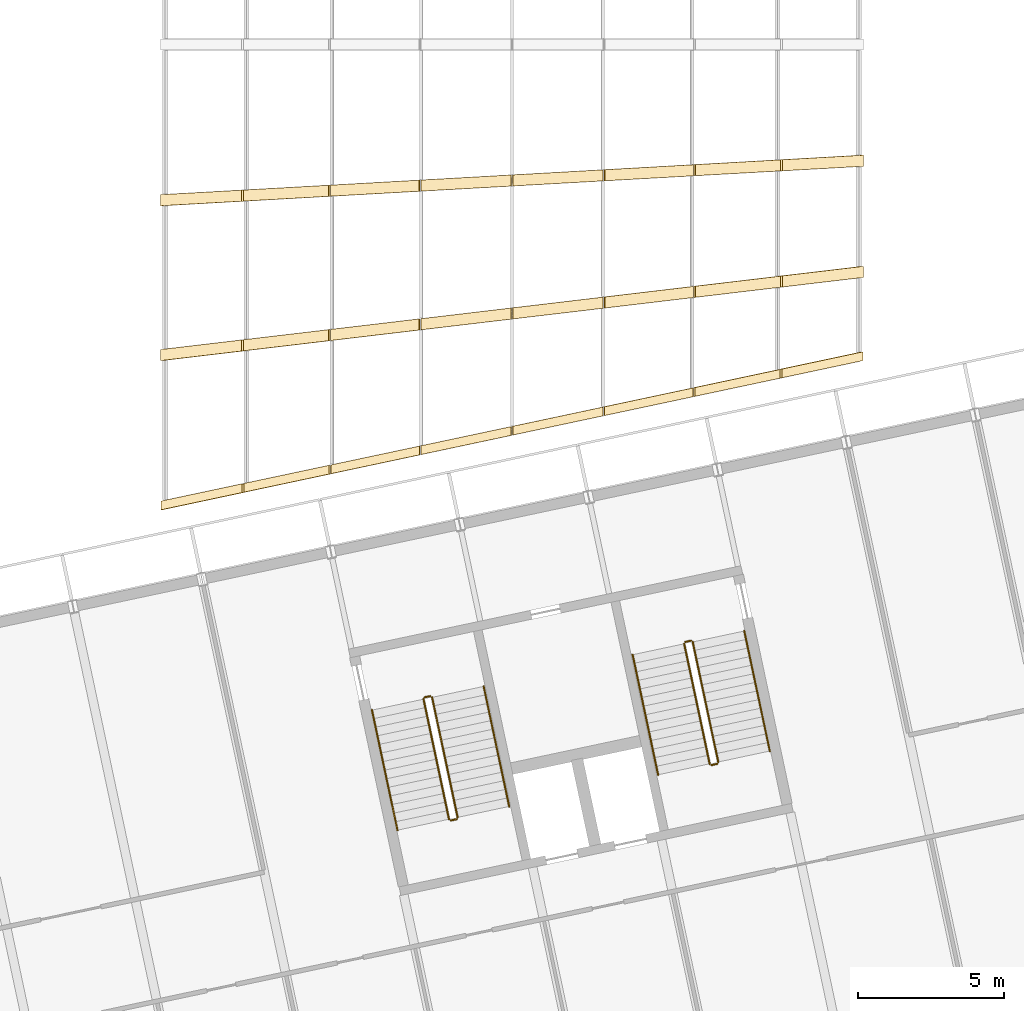
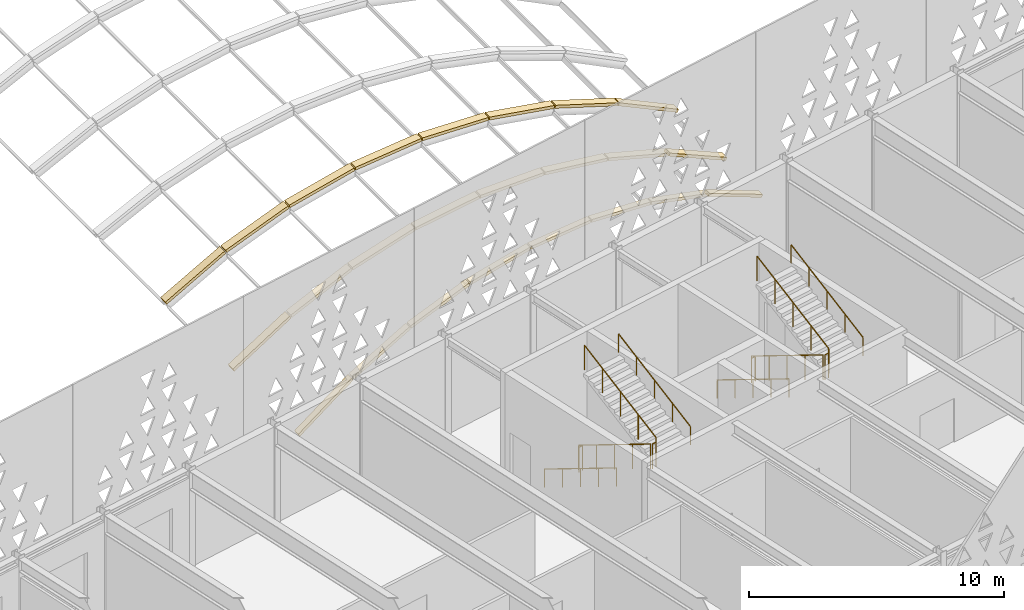
# One storey, part 191 of 196: 24 coverings, 12 railings.
"""IFC4 building model written with IfcOpenShell, lengths in metres."""

from ifc_helpers import new_model, si_unit, direction, frame, origin, origin_2d, place, context, subcontext, project, spatial, polyline, circle, outline, extrude, material, layer, layer_set, type_object, element, save


model = new_model("IFC4")

# Units and contexts
model_context = context("Model", 3, precision=1e-05, world=origin(), true_north=direction((0.0, 1.0)))
body_context = subcontext(model_context, "Body", "Model", "MODEL_VIEW")
ifc_project = project(units=[si_unit("LENGTHUNIT", "METRE"), si_unit("AREAUNIT", "SQUARE_METRE"), si_unit("VOLUMEUNIT", "CUBIC_METRE"), si_unit("PLANEANGLEUNIT", "RADIAN"), si_unit("MASSUNIT", "GRAM", prefix="KILO")], contexts=[model_context])

# Site, building, storey
site_placement = place(None, origin())
site = spatial("IfcSite", under=ifc_project, at=site_placement, CompositionType="ELEMENT")
building_placement = place(site_placement, origin())
building = spatial("IfcBuilding", under=site, at=building_placement, Name="Okhra Congress Centre", CompositionType="ELEMENT")
storey_placement = place(building_placement, frame((0.0, 0.0, 12.0)))
storey = spatial("IfcBuildingStorey", under=building, at=storey_placement, Name="L02", CompositionType="ELEMENT", Elevation=12.0)

# Coverings
ifc_material_1 = material(Name="Extruded aluminium capping, thermally broken", Category="aluminium")
ifc_layer = layer(ifc_material_1, 0.139892578125)
ifc_layer_set = layer_set([ifc_layer], Name="Aluminium rib capping 380")
covering_type = type_object("IfcCoveringType", Name="Aluminium rib capping 380", PredefinedType="CLADDING", material=ifc_layer_set)
covering_1_placement = place(storey_placement, frame((160.26904296875, 75.111083984375, 1.07080078125), z_axis=(-0.445566111343, 0.0, 0.895249038214), x_axis=(0.879462322066, 0.186967405575, 0.437709050989)))
element("IfcCovering", 1, at=covering_1_placement, inside=storey, type_object=covering_type, Name="Rib capping 1.3", PredefinedType="CLADDING", context=body_context, shape_type="SweptSolid", body=[
    extrude(outline(polyline([(0.0, 0.0), (3.139125029271987, -1.3877787807814457e-17), (3.1951787338732265, 0.294517966934871), (0.05605370460123909, 0.29451796693487087), (0.0, 0.0)])), origin(), (0.0, 0.0, -1.0), 0.139892578125),
])
covering_2_placement = place(storey_placement, frame((163.0849609375, 75.709716796875, 2.468017578125), z_axis=(-0.323889109008, 0.0, 0.946095050757), x_axis=(0.92752675174, 0.197147945558, 0.317532380031)))
element("IfcCovering", 2, at=covering_2_placement, inside=storey, type_object=covering_type, Name="Rib capping 1.4", PredefinedType="CLADDING", context=body_context, shape_type="SweptSolid", body=[
    extrude(outline(polyline([(0.0, 0.0), (3.1454407792290016, 1.3877787807814457e-17), (3.2045947892609927, 0.2941599944865395), (0.059154010031990986, 0.29415999448653946), (0.0, 0.0)])), origin(), (0.0, 0.0, -1.0), 0.139892578125),
])
covering_3_placement = place(storey_placement, frame((166.060302734375, 76.34228515625, 3.482421875), z_axis=(-0.196664221058, 0.0, 0.980470899189), x_axis=(0.959852535157, 0.20399966671, 0.192528560831)))
element("IfcCovering", 3, at=covering_3_placement, inside=storey, type_object=covering_type, Name="Rib capping 1.5", PredefinedType="CLADDING", context=body_context, shape_type="SweptSolid", body=[
    extrude(outline(polyline([(0.0, 0.0), (3.1498979158360014, 5.204170427930421e-17), (3.2111077767701257, 0.2937390886205154), (0.06116005632799405, 0.2935000820390503), (0.0, 0.0)])), origin(), (0.0, 0.0, -1.0), 0.139892578125),
])
covering_4_placement = place(storey_placement, frame((169.14306640625, 76.99755859375, 4.0966796875), z_axis=(-0.065951473354, 0.0, 0.99782283155), x_axis=(0.976091741437, 0.207563744113, 0.064515148823)))
element("IfcCovering", 4, at=covering_4_placement, inside=storey, type_object=covering_type, Name="Rib capping 1.6", PredefinedType="CLADDING", context=body_context, shape_type="SweptSolid", body=[
    extrude(outline(polyline([(0.0, 0.0), (3.1522695728825534, 3.165870343657673e-17), (3.214498156322587, 0.2932753894380152), (0.06227925818224878, 0.2935142130450493), (0.0, 0.0)])), origin(), (0.0, 0.0, -1.0), 0.139892578125),
])
covering_5_placement = place(storey_placement, frame((172.280029296875, 77.66455078125, 4.300048828125), z_axis=(0.065951473354, 0.0, 0.99782283155), x_axis=(0.976107430185, 0.207489629887, -0.064516185777)))
element("IfcCovering", 5, at=covering_5_placement, inside=storey, type_object=covering_type, Name="Rib capping 1.7", PredefinedType="CLADDING", context=body_context, shape_type="SweptSolid", body=[
    extrude(outline(polyline([(0.0, 0.0), (3.1522189071874123, -5.204170427930421e-18), (3.214475927483085, 0.2935189307065048), (0.06225702029567293, 0.2935189307065048), (0.0, 0.0)])), origin(), (0.0, 0.0, -1.0), 0.139892578125),
])
covering_6_placement = place(storey_placement, frame((175.416259765625, 78.331298828125, 4.0888671875), z_axis=(0.196664221058, 0.0, 0.980470899189), x_axis=(0.959837355927, 0.204073946879, -0.19252551616)))
element("IfcCovering", 6, at=covering_6_placement, inside=storey, type_object=covering_type, Name="Rib capping 1.8", PredefinedType="CLADDING", context=body_context, shape_type="SweptSolid", body=[
    extrude(outline(polyline([(0.0, 0.0), (3.1499477295096074, -2.7755575615628914e-17), (3.2111798781216314, 0.2937344433932474), (0.06123214861202365, 0.2937344433932474), (0.0, 0.0)])), origin(), (0.0, 0.0, -1.0), 0.139892578125),
])
covering_7_placement = place(storey_placement, frame((178.49755859375, 78.986328125, 3.466796875), z_axis=(0.323889109008, 0.0, 0.946095050757), x_axis=(0.927512556173, 0.197222544371, -0.317527520277)))
element("IfcCovering", 7, at=covering_7_placement, inside=storey, type_object=covering_type, Name="Rib capping 1.9", PredefinedType="CLADDING", context=body_context, shape_type="SweptSolid", body=[
    extrude(outline(polyline([(0.0, 0.0), (3.145488920158018, -2.7755575615628914e-17), (3.204617163441182, 0.29391614704405), (0.059176393318411034, 0.2941554924406657), (0.0, 0.0)])), origin(), (0.0, 0.0, -1.0), 0.139892578125),
])
covering_8_placement = place(storey_placement, frame((181.47021484375, 79.618408203125, 2.44482421875), z_axis=(0.445566111343, 0.0, 0.895249038214), x_axis=(0.879462322066, 0.186967405575, -0.437709050989)))
element("IfcCovering", 8, at=covering_8_placement, inside=storey, type_object=covering_type, Name="Rib capping 1.10", PredefinedType="CLADDING", context=body_context, shape_type="SweptSolid", body=[
    extrude(outline(polyline([(0.0, 0.0), (3.139125029271987, 1.3877787807814457e-17), (3.195224380212478, 0.2947578024128308), (0.05609935094049091, 0.29475780241283084), (0.0, 0.0)])), origin(), (0.0, 0.0, -1.0), 0.139892578125),
])
covering_9_placement = place(storey_placement, frame((160.248291015625, 80.203857421875, 1.1064453125), z_axis=(-0.445569024037, 0.0, 0.895247588558), x_axis=(0.890254687035, 0.105466259711, 0.443084032972)))
element("IfcCovering", 9, at=covering_9_placement, inside=storey, type_object=covering_type, Name="Rib capping 2.3", PredefinedType="CLADDING", context=body_context, shape_type="SweptSolid", body=[
    extrude(outline(polyline([(0.0, 0.0), (3.106554832314727, -2.7755575615628914e-17), (3.146645400275992, 0.3780069402175562), (0.0400905679612651, 0.37800694021755626), (0.0, 0.0)])), origin(), (0.0, 0.0, -1.0), 0.139892578125),
])
covering_10_placement = place(storey_placement, frame((163.069091796875, 80.5380859375, 2.506103515625), z_axis=(-0.323875724276, 0.0, 0.946099632822), x_axis=(0.940213842822, 0.111371082543, 0.32186085773)))
element("IfcCovering", 10, at=covering_10_placement, inside=storey, type_object=covering_type, Name="Rib capping 2.4", PredefinedType="CLADDING", context=body_context, shape_type="SweptSolid", body=[
    extrude(outline(polyline([(0.0, 0.0), (3.1084496832148925, 0.0), (3.150784833488185, 0.37776214149042736), (0.04230796006759374, 0.37751951969114), (0.0, 0.0)])), origin(), (0.0, 0.0, -1.0), 0.139892578125),
])
covering_11_placement = place(storey_placement, frame((166.049560546875, 80.89111328125, 3.522216796875), z_axis=(-0.196632858865, 0.0, 0.980477189339), x_axis=(0.973926541922, 0.115401581221, 0.195319138828)))
element("IfcCovering", 11, at=covering_11_placement, inside=storey, type_object=covering_type, Name="Rib capping 2.5", PredefinedType="CLADDING", context=body_context, shape_type="SweptSolid", body=[
    extrude(outline(polyline([(0.0, 0.0), (3.10989429220633, 5.551115123125783e-17), (3.153733369447416, 0.37734478469903393), (0.04386725145525145, 0.3775872942007685), (0.0, 0.0)])), origin(), (0.0, 0.0, -1.0), 0.139892578125),
])
covering_12_placement = place(storey_placement, frame((169.1376953125, 81.257080078125, 4.137451171875), z_axis=(-0.065994431109, 0.0, 0.997819991312), x_axis=(0.990926684736, 0.117341417321, 0.065538517367)))
element("IfcCovering", 12, at=covering_12_placement, inside=storey, type_object=covering_type, Name="Rib capping 2.6", PredefinedType="CLADDING", context=body_context, shape_type="SweptSolid", body=[
    extrude(outline(polyline([(0.0, 0.0), (3.1104979188700863, 4.0766001685454967e-17), (3.1551025543117803, 0.37750089667338477), (0.04457598763473091, 0.3772584426613916), (0.0, 0.0)])), origin(), (0.0, 0.0, -1.0), 0.139892578125),
])
covering_13_placement = place(storey_placement, frame((172.280029296875, 81.629150390625, 4.34130859375), z_axis=(0.065994431109, 0.0, 0.997819991312), x_axis=(0.990917555337, 0.117418824775, -0.065537913561)))
element("IfcCovering", 13, at=covering_13_placement, inside=storey, type_object=covering_type, Name="Rib capping 2.7", PredefinedType="CLADDING", context=body_context, shape_type="SweptSolid", body=[
    extrude(outline(polyline([(0.0, 0.0), (3.1105265761262446, -3.5128150388530344e-17), (3.1551606362274653, 0.37749741876068044), (0.0446340601012209, 0.3774974187606805), (0.0, 0.0)])), origin(), (0.0, 0.0, -1.0), 0.139892578125),
])
covering_14_placement = place(storey_placement, frame((175.421630859375, 82.00146484375, 4.129638671875), z_axis=(0.196632858865, 0.0, 0.980477189339), x_axis=(0.973926541922, 0.115401581221, -0.195319138828)))
element("IfcCovering", 14, at=covering_14_placement, inside=storey, type_object=covering_type, Name="Rib capping 2.8", PredefinedType="CLADDING", context=body_context, shape_type="SweptSolid", body=[
    extrude(outline(polyline([(0.0, 0.0), (3.10989429220633, 5.551115123125783e-17), (3.153733369447416, 0.37734478469903393), (0.043839077241086225, 0.3773447846990339), (0.0, 0.0)])), origin(), (0.0, 0.0, -1.0), 0.139892578125),
])
covering_15_placement = place(storey_placement, frame((178.50830078125, 82.3671875, 3.506591796875), z_axis=(0.323875724276, 0.0, 0.946099632822), x_axis=(0.940213842822, 0.111371082543, -0.32186085773)))
element("IfcCovering", 15, at=covering_15_placement, inside=storey, type_object=covering_type, Name="Rib capping 2.9", PredefinedType="CLADDING", context=body_context, shape_type="SweptSolid", body=[
    extrude(outline(polyline([(0.0, 0.0), (3.1084496832148925, -5.551115123125783e-17), (3.150757643282486, 0.3775195196911399), (0.04230796006759374, 0.37751951969113995), (0.0, 0.0)])), origin(), (0.0, 0.0, -1.0), 0.139892578125),
])
covering_16_placement = place(storey_placement, frame((181.486083984375, 82.719970703125, 2.48291015625), z_axis=(0.445569024037, 0.0, 0.895247588558), x_axis=(0.89026206323, 0.105388544032, -0.44308770414)))
element("IfcCovering", 16, at=covering_16_placement, inside=storey, type_object=covering_type, Name="Rib capping 2.10", PredefinedType="CLADDING", context=body_context, shape_type="SweptSolid", body=[
    extrude(outline(polyline([(0.0, 0.0), (3.1065290932029024, -1.3877787807814457e-17), (3.1465901193399803, 0.3780100721898033), (0.04003529651207027, 0.3777672911543571), (0.0, 0.0)])), origin(), (0.0, 0.0, -1.0), 0.139892578125),
])
covering_17_placement = place(storey_placement, frame((160.248291015625, 85.49267578125, 1.1064453125), z_axis=(-0.445569024037, 0.0, 0.895247588558), x_axis=(0.894111774461, 0.0503569308, 0.445003723906)))
element("IfcCovering", 17, at=covering_17_placement, inside=storey, type_object=covering_type, Name="Rib capping 3.3", PredefinedType="CLADDING", context=body_context, shape_type="SweptSolid", body=[
    extrude(outline(polyline([(0.0, 0.0), (3.0931535396311425, -2.0816681711721685e-17), (3.11228327213244, 0.37940084945521535), (0.01914202667385576, 0.379644680335328), (0.0, 0.0)])), origin(), (0.0, 0.0, -1.0), 0.139892578125),
])
covering_18_placement = place(storey_placement, frame((163.069091796875, 85.6513671875, 2.506103515625), z_axis=(-0.323875724276, 0.0, 0.946099632822), x_axis=(0.944760213587, 0.053192580733, 0.323417204518)))
element("IfcCovering", 18, at=covering_18_placement, inside=storey, type_object=covering_type, Name="Rib capping 3.4", PredefinedType="CLADDING", context=body_context, shape_type="SweptSolid", body=[
    extrude(outline(polyline([(0.0, 0.0), (3.0934912159124353, -1.734723475976807e-17), (3.113698163085513, 0.3793450019689921), (0.020219933642983207, 0.3795887969574041), (0.0, 0.0)])), origin(), (0.0, 0.0, -1.0), 0.139892578125),
])
covering_19_placement = place(storey_placement, frame((166.049560546875, 85.819091796875, 3.522216796875), z_axis=(-0.196632858865, 0.0, 0.980477189339), x_axis=(0.978988719826, 0.055080938775, 0.196334349099)))
element("IfcCovering", 19, at=covering_19_placement, inside=storey, type_object=covering_type, Name="Rib capping 3.5", PredefinedType="CLADDING", context=body_context, shape_type="SweptSolid", body=[
    extrude(outline(polyline([(0.0, 0.0), (3.0938135776344895, -1.734723475976807e-18), (3.1147378795713605, 0.37930610965467565), (0.020924301936870778, 0.37930610965467565), (0.0, 0.0)])), origin(), (0.0, 0.0, -1.0), 0.139892578125),
])
for number, where, z_axis, x_axis, name in (
    (20, (169.1376953125, 85.99267578125, 4.137451171875), (-0.065994431109, 0.0, 0.997819991312), (0.99624826846, 0.056105546049, 0.065890479538), "Rib capping 3.6"),
    (21, (172.280029296875, 86.16943359375, 4.34130859375), (0.065994431109, 0.0, 0.997819991312), (0.99624826846, 0.056105546049, -0.065890479538), "Rib capping 3.7"),
):
    element("IfcCovering", number, at=place(storey_placement, frame(where, z_axis=z_axis, x_axis=x_axis)), inside=storey, type_object=covering_type, Name=name, PredefinedType="CLADDING", context=body_context, shape_type="SweptSolid", body=[
        extrude(outline(polyline([(0.0, 0.0), (3.0938828083393073, 1.9949319973733282e-17), (3.115196340969435, 0.37928443753960506), (0.02132723027320622, 0.3795281936048619), (0.0, 0.0)])), origin(), (0.0, 0.0, -1.0), 0.139892578125),
    ])
covering_20_placement = place(storey_placement, frame((175.421630859375, 86.34619140625, 4.129638671875), z_axis=(0.196632858865, 0.0, 0.980477189339), x_axis=(0.978988719826, 0.055080938775, -0.196334349099)))
element("IfcCovering", 22, at=covering_20_placement, inside=storey, type_object=covering_type, Name="Rib capping 3.8", PredefinedType="CLADDING", context=body_context, shape_type="SweptSolid", body=[
    extrude(outline(polyline([(0.0, 0.0), (3.0938135776344895, -8.673617379884035e-19), (3.114751327066178, 0.37954987964802694), (0.02093774943168882, 0.379549879648027), (0.0, 0.0)])), origin(), (0.0, 0.0, -1.0), 0.139892578125),
])
covering_21_placement = place(storey_placement, frame((178.50830078125, 86.519775390625, 3.506591796875), z_axis=(0.323875724276, 0.0, 0.946099632822), x_axis=(0.944760213587, 0.053192580733, -0.323417204518)))
element("IfcCovering", 23, at=covering_21_placement, inside=storey, type_object=covering_type, Name="Rib capping 3.9", PredefinedType="CLADDING", context=body_context, shape_type="SweptSolid", body=[
    extrude(outline(polyline([(0.0, 0.0), (3.0934912159124353, -1.734723475976807e-17), (3.113698163085513, 0.3793450019689921), (0.020219933642983207, 0.3795887969574041), (0.0, 0.0)])), origin(), (0.0, 0.0, -1.0), 0.139892578125),
])
covering_22_placement = place(storey_placement, frame((181.486083984375, 86.687255859375, 2.48291015625), z_axis=(0.445569024037, 0.0, 0.895247588558), x_axis=(0.894111774461, 0.0503569308, -0.445003723906)))
element("IfcCovering", 24, at=covering_22_placement, inside=storey, type_object=covering_type, Name="Rib capping 3.10", PredefinedType="CLADDING", context=body_context, shape_type="SweptSolid", body=[
    extrude(outline(polyline([(0.0, 0.0), (3.0931535396311425, -2.0816681711721685e-17), (3.11228327213244, 0.37940084945521535), (0.01914202667385576, 0.379644680335328), (0.0, 0.0)])), origin(), (0.0, 0.0, -1.0), 0.139892578125),
])

# Railings
ifc_material_2 = material(Name="Painted steel tube handrail on wall brackets", Category="steel")
railing_type_1 = type_object("IfcRailingType", Name="Steel handrail 900", PredefinedType="HANDRAIL", material=ifc_material_2)
railing_1_placement = place(storey_placement, frame((167.46630859375, 68.273681640625, 0.159912109375)))
element("IfcRailing", 25, at=railing_1_placement, inside=storey, type_object=railing_type_1, Name="L02 BS4A stair handrail 1", PredefinedType="HANDRAIL", context=body_context, shape_type="SweptSolid", body=[
    extrude(circle(Radius=0.02392578125, at=origin_2d()), frame((0.0, 0.0, 0.8759765625), z_axis=(0.183466421502, -0.863066668889, 0.4705911147), x_axis=(0.978143927149, 0.207928972925, 0.0)), (0.0, 0.0, 1.0), 4.760009765625),
    extrude(circle(Radius=0.02099609375, at=origin_2d()), origin(), (0.0, 0.0, 1.0), 0.851806640625),
    extrude(circle(Radius=0.02099609375, at=origin_2d()), frame((0.21826171875, -1.027099609375, 0.56005859375)), (0.0, 0.0, 1.0), 0.851806640625),
    extrude(circle(Radius=0.02099609375, at=origin_2d()), frame((0.4365234375, -2.05419921875, 1.1201171875)), (0.0, 0.0, 1.0), 0.851806640625),
    extrude(circle(Radius=0.02099609375, at=origin_2d()), frame((0.655029296875, -3.0810546875, 1.679931640625)), (0.0, 0.0, 1.0), 0.851806640625),
    extrude(circle(Radius=0.02099609375, at=origin_2d()), frame((0.873291015625, -4.108154296875, 2.239990234375)), (0.0, 0.0, 1.0), 0.851806640625),
])
railing_2_placement = place(storey_placement, frame((172.154296875, 64.976318359375, 2.56005859375)))
element("IfcRailing", 26, at=railing_2_placement, inside=storey, type_object=railing_type_1, Name="L02 BS4A stair handrail 2", PredefinedType="HANDRAIL", context=body_context, shape_type="SweptSolid", body=[
    extrude(circle(Radius=0.02392578125, at=origin_2d()), frame((0.0, 0.0, 0.8759765625), z_axis=(-0.183416856655, 0.863074789412, 0.470595542453), x_axis=(-0.978155748334, -0.207873355681, 0.0)), (0.0, 0.0, 1.0), 4.760009765625),
    extrude(circle(Radius=0.02099609375, at=origin_2d()), origin(), (0.0, 0.0, 1.0), 0.851806640625),
    extrude(circle(Radius=0.02099609375, at=origin_2d()), frame((-0.21826171875, 1.027099609375, 0.56005859375)), (0.0, 0.0, 1.0), 0.851806640625),
    extrude(circle(Radius=0.02099609375, at=origin_2d()), frame((-0.4365234375, 2.05419921875, 1.1201171875)), (0.0, 0.0, 1.0), 0.851806640625),
    extrude(circle(Radius=0.02099609375, at=origin_2d()), frame((-0.65478515625, 3.0810546875, 1.679931640625)), (0.0, 0.0, 1.0), 0.851806640625),
    extrude(circle(Radius=0.02099609375, at=origin_2d()), frame((-0.873046875, 4.108154296875, 2.239990234375)), (0.0, 0.0, 1.0), 0.851806640625),
])
railing_3_placement = place(storey_placement, frame((176.367431640625, 70.16552734375, 0.159912109375)))
element("IfcRailing", 27, at=railing_3_placement, inside=storey, type_object=railing_type_1, Name="L02 BS4B stair handrail 1", PredefinedType="HANDRAIL", context=body_context, shape_type="SweptSolid", body=[
    extrude(circle(Radius=0.02392578125, at=origin_2d()), frame((0.0, 0.0, 0.8759765625), z_axis=(0.183466421502, -0.863066668889, 0.4705911147), x_axis=(0.978143927149, 0.207928972925, 0.0)), (0.0, 0.0, 1.0), 4.760009765625),
    extrude(circle(Radius=0.02099609375, at=origin_2d()), origin(), (0.0, 0.0, 1.0), 0.851806640625),
    extrude(circle(Radius=0.02099609375, at=origin_2d()), frame((0.21826171875, -1.027099609375, 0.56005859375)), (0.0, 0.0, 1.0), 0.851806640625),
    extrude(circle(Radius=0.02099609375, at=origin_2d()), frame((0.4365234375, -2.05419921875, 1.1201171875)), (0.0, 0.0, 1.0), 0.851806640625),
    extrude(circle(Radius=0.02099609375, at=origin_2d()), frame((0.655029296875, -3.0810546875, 1.679931640625)), (0.0, 0.0, 1.0), 0.851806640625),
    extrude(circle(Radius=0.02099609375, at=origin_2d()), frame((0.873291015625, -4.108154296875, 2.239990234375)), (0.0, 0.0, 1.0), 0.851806640625),
])
railing_4_placement = place(storey_placement, frame((181.055419921875, 66.8681640625, 2.56005859375)))
element("IfcRailing", 28, at=railing_4_placement, inside=storey, type_object=railing_type_1, Name="L02 BS4B stair handrail 2", PredefinedType="HANDRAIL", context=body_context, shape_type="SweptSolid", body=[
    extrude(circle(Radius=0.02392578125, at=origin_2d()), frame((0.0, 0.0, 0.8759765625), z_axis=(-0.183408737451, 0.863087872992, 0.470574710881), x_axis=(-0.97815826, -0.207861536591, 0.0)), (0.0, 0.0, 1.0), 4.760009765625),
    extrude(circle(Radius=0.02099609375, at=origin_2d()), origin(), (0.0, 0.0, 1.0), 0.851806640625),
    extrude(circle(Radius=0.02099609375, at=origin_2d()), frame((-0.21826171875, 1.027099609375, 0.56005859375)), (0.0, 0.0, 1.0), 0.851806640625),
    extrude(circle(Radius=0.02099609375, at=origin_2d()), frame((-0.4365234375, 2.05419921875, 1.1201171875)), (0.0, 0.0, 1.0), 0.851806640625),
    extrude(circle(Radius=0.02099609375, at=origin_2d()), frame((-0.65478515625, 3.081298828125, 1.679931640625)), (0.0, 0.0, 1.0), 0.851806640625),
    extrude(circle(Radius=0.02099609375, at=origin_2d()), frame((-0.873046875, 4.1083984375, 2.239990234375)), (0.0, 0.0, 1.0), 0.851806640625),
])
ifc_material_3 = material(Name="Painted steel tube guard with vertical steel balusters", Category="steel")
railing_type_2 = type_object("IfcRailingType", Name="Steel stair guard 1200", PredefinedType="GUARDRAIL", material=ifc_material_3)
railing_5_placement = place(storey_placement, frame((169.22705078125, 68.64794921875, 0.159912109375)))
element("IfcRailing", 29, at=railing_5_placement, inside=storey, type_object=railing_type_2, Name="L02 BS4A stair guard 1", PredefinedType="GUARDRAIL", context=body_context, shape_type="SweptSolid", body=[
    extrude(circle(Radius=0.02392578125, at=origin_2d()), frame((0.0, 0.0, 1.17578125), z_axis=(0.183458300256, -0.863079753065, 0.470570283716), x_axis=(0.978146440129, 0.207917150959, 0.0)), (0.0, 0.0, 1.0), 4.76025390625),
    extrude(circle(Radius=0.02099609375, at=origin_2d()), origin(), (0.0, 0.0, 1.0), 1.15185546875),
    extrude(circle(Radius=0.02099609375, at=origin_2d()), frame((0.21826171875, -1.027099609375, 0.56005859375)), (0.0, 0.0, 1.0), 1.15185546875),
    extrude(circle(Radius=0.02099609375, at=origin_2d()), frame((0.4365234375, -2.05419921875, 1.1201171875)), (0.0, 0.0, 1.0), 1.15185546875),
    extrude(circle(Radius=0.02099609375, at=origin_2d()), frame((0.655029296875, -3.081298828125, 1.679931640625)), (0.0, 0.0, 1.0), 1.15185546875),
    extrude(circle(Radius=0.02099609375, at=origin_2d()), frame((0.873291015625, -4.1083984375, 2.239990234375)), (0.0, 0.0, 1.0), 1.15185546875),
])
railing_6_placement = place(storey_placement, frame((170.15966796875, 64.501220703125, 2.39990234375)))
element("IfcRailing", 30, at=railing_6_placement, inside=storey, type_object=railing_type_2, Name="L02 BS4A stair guard 2", PredefinedType="GUARDRAIL", context=body_context, shape_type="SweptSolid", body=[
    extrude(circle(Radius=0.02392578125, at=origin_2d()), frame((0.0, 0.0, 1.17578125), z_axis=(0.978211583308, 0.207610448392, 0.0), x_axis=(-0.207610448392, 0.978211583308, 0.0)), (0.0, 0.0, 1.0), 0.199951171875),
    extrude(circle(Radius=0.02099609375, at=origin_2d()), origin(), (0.0, 0.0, 1.0), 1.15185546875),
    extrude(circle(Radius=0.02099609375, at=origin_2d()), frame((0.195556640625, 0.04150390625, 0.0)), (0.0, 0.0, 1.0), 1.15185546875),
])
railing_7_placement = place(storey_placement, frame((170.393798828125, 64.60205078125, 2.56005859375)))
element("IfcRailing", 31, at=railing_7_placement, inside=storey, type_object=railing_type_2, Name="L02 BS4A stair guard 3", PredefinedType="GUARDRAIL", context=body_context, shape_type="SweptSolid", body=[
    extrude(circle(Radius=0.02392578125, at=origin_2d()), frame((0.0, 0.0, 1.17578125), z_axis=(-0.183466421502, 0.863066668889, 0.4705911147), x_axis=(-0.978143927149, -0.207928972925, 0.0)), (0.0, 0.0, 1.0), 4.760009765625),
    extrude(circle(Radius=0.02099609375, at=origin_2d()), origin(), (0.0, 0.0, 1.0), 1.15185546875),
    extrude(circle(Radius=0.02099609375, at=origin_2d()), frame((-0.21826171875, 1.027099609375, 0.56005859375)), (0.0, 0.0, 1.0), 1.15185546875),
    extrude(circle(Radius=0.02099609375, at=origin_2d()), frame((-0.4365234375, 2.05419921875, 1.1201171875)), (0.0, 0.0, 1.0), 1.15185546875),
    extrude(circle(Radius=0.02099609375, at=origin_2d()), frame((-0.655029296875, 3.0810546875, 1.679931640625)), (0.0, 0.0, 1.0), 1.15185546875),
    extrude(circle(Radius=0.02099609375, at=origin_2d()), frame((-0.873291015625, 4.108154296875, 2.239990234375)), (0.0, 0.0, 1.0), 1.15185546875),
])
railing_8_placement = place(storey_placement, frame((169.265625, 68.707275390625, 0.0)))
element("IfcRailing", 32, at=railing_8_placement, inside=storey, type_object=railing_type_2, Name="L02 BS4A stair guard 4", PredefinedType="GUARDRAIL", context=body_context, shape_type="SweptSolid", body=[
    extrude(circle(Radius=0.02392578125, at=origin_2d()), frame((0.0, 0.0, 1.17578125), z_axis=(0.978211583308, 0.207610448392, 0.0), x_axis=(-0.207610448392, 0.978211583308, 0.0)), (0.0, 0.0, 1.0), 0.199951171875),
    extrude(circle(Radius=0.02099609375, at=origin_2d()), origin(), (0.0, 0.0, 1.0), 1.15185546875),
    extrude(circle(Radius=0.02099609375, at=origin_2d()), frame((0.195556640625, 0.04150390625, 0.0)), (0.0, 0.0, 1.0), 1.15185546875),
])
railing_9_placement = place(storey_placement, frame((178.128173828125, 70.539794921875, 0.159912109375)))
element("IfcRailing", 33, at=railing_9_placement, inside=storey, type_object=railing_type_2, Name="L02 BS4B stair guard 1", PredefinedType="GUARDRAIL", context=body_context, shape_type="SweptSolid", body=[
    extrude(circle(Radius=0.02392578125, at=origin_2d()), frame((0.0, 0.0, 1.17578125), z_axis=(0.183466421502, -0.863066668889, 0.4705911147), x_axis=(0.978143927149, 0.207928972925, 0.0)), (0.0, 0.0, 1.0), 4.760009765625),
    extrude(circle(Radius=0.02099609375, at=origin_2d()), origin(), (0.0, 0.0, 1.0), 1.15185546875),
    extrude(circle(Radius=0.02099609375, at=origin_2d()), frame((0.21826171875, -1.027099609375, 0.56005859375)), (0.0, 0.0, 1.0), 1.15185546875),
    extrude(circle(Radius=0.02099609375, at=origin_2d()), frame((0.4365234375, -2.05419921875, 1.1201171875)), (0.0, 0.0, 1.0), 1.15185546875),
    extrude(circle(Radius=0.02099609375, at=origin_2d()), frame((0.655029296875, -3.0810546875, 1.679931640625)), (0.0, 0.0, 1.0), 1.15185546875),
    extrude(circle(Radius=0.02099609375, at=origin_2d()), frame((0.873291015625, -4.108154296875, 2.239990234375)), (0.0, 0.0, 1.0), 1.15185546875),
])
railing_10_placement = place(storey_placement, frame((179.060791015625, 66.39306640625, 2.39990234375)))
element("IfcRailing", 34, at=railing_10_placement, inside=storey, type_object=railing_type_2, Name="L02 BS4B stair guard 2", PredefinedType="GUARDRAIL", context=body_context, shape_type="SweptSolid", body=[
    extrude(circle(Radius=0.02392578125, at=origin_2d()), frame((0.0, 0.0, 1.17578125), z_axis=(0.977962931203, 0.208778603291, 0.0), x_axis=(-0.208778603291, 0.977962931203, 0.0)), (0.0, 0.0, 1.0), 0.199951171875),
    extrude(circle(Radius=0.02099609375, at=origin_2d()), origin(), (0.0, 0.0, 1.0), 1.15185546875),
    extrude(circle(Radius=0.02099609375, at=origin_2d()), frame((0.195556640625, 0.041748046875, 0.0)), (0.0, 0.0, 1.0), 1.15185546875),
])
railing_11_placement = place(storey_placement, frame((179.294921875, 66.494140625, 2.56005859375)))
element("IfcRailing", 35, at=railing_11_placement, inside=storey, type_object=railing_type_2, Name="L02 BS4B stair guard 3", PredefinedType="GUARDRAIL", context=body_context, shape_type="SweptSolid", body=[
    extrude(circle(Radius=0.02392578125, at=origin_2d()), frame((0.0, 0.0, 1.17578125), z_axis=(-0.183466421502, 0.863066668889, 0.4705911147), x_axis=(-0.978143927149, -0.207928972925, 0.0)), (0.0, 0.0, 1.0), 4.760009765625),
    extrude(circle(Radius=0.02099609375, at=origin_2d()), origin(), (0.0, 0.0, 1.0), 1.15185546875),
    extrude(circle(Radius=0.02099609375, at=origin_2d()), frame((-0.21826171875, 1.027099609375, 0.56005859375)), (0.0, 0.0, 1.0), 1.15185546875),
    extrude(circle(Radius=0.02099609375, at=origin_2d()), frame((-0.4365234375, 2.05419921875, 1.1201171875)), (0.0, 0.0, 1.0), 1.15185546875),
    extrude(circle(Radius=0.02099609375, at=origin_2d()), frame((-0.655029296875, 3.0810546875, 1.679931640625)), (0.0, 0.0, 1.0), 1.15185546875),
    extrude(circle(Radius=0.02099609375, at=origin_2d()), frame((-0.873291015625, 4.108154296875, 2.239990234375)), (0.0, 0.0, 1.0), 1.15185546875),
])
railing_12_placement = place(storey_placement, frame((178.166748046875, 70.59912109375, 0.0)))
element("IfcRailing", 36, at=railing_12_placement, inside=storey, type_object=railing_type_2, Name="L02 BS4B stair guard 4", PredefinedType="GUARDRAIL", context=body_context, shape_type="SweptSolid", body=[
    extrude(circle(Radius=0.02392578125, at=origin_2d()), frame((0.0, 0.0, 1.17578125), z_axis=(0.977962931203, 0.208778603291, 0.0), x_axis=(-0.208778603291, 0.977962931203, 0.0)), (0.0, 0.0, 1.0), 0.199951171875),
    extrude(circle(Radius=0.02099609375, at=origin_2d()), origin(), (0.0, 0.0, 1.0), 1.15185546875),
    extrude(circle(Radius=0.02099609375, at=origin_2d()), frame((0.195556640625, 0.041748046875, 0.0)), (0.0, 0.0, 1.0), 1.15185546875),
])

save(model, "model.ifc")
